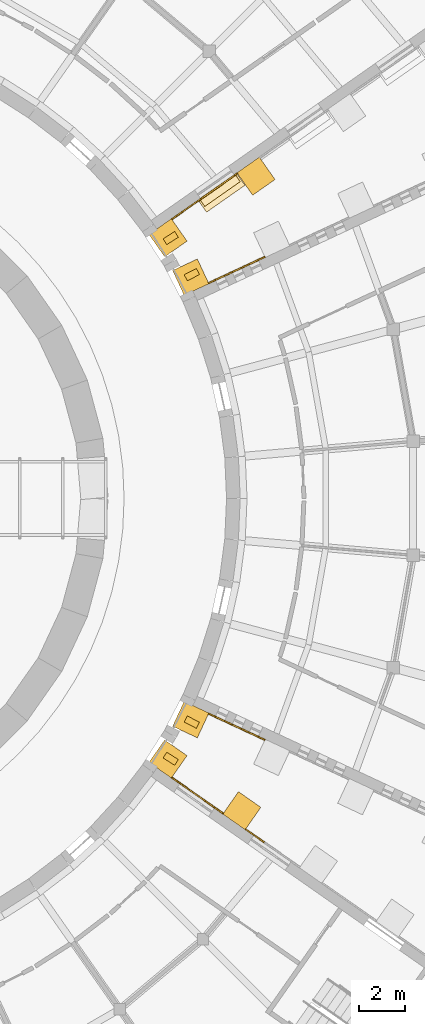
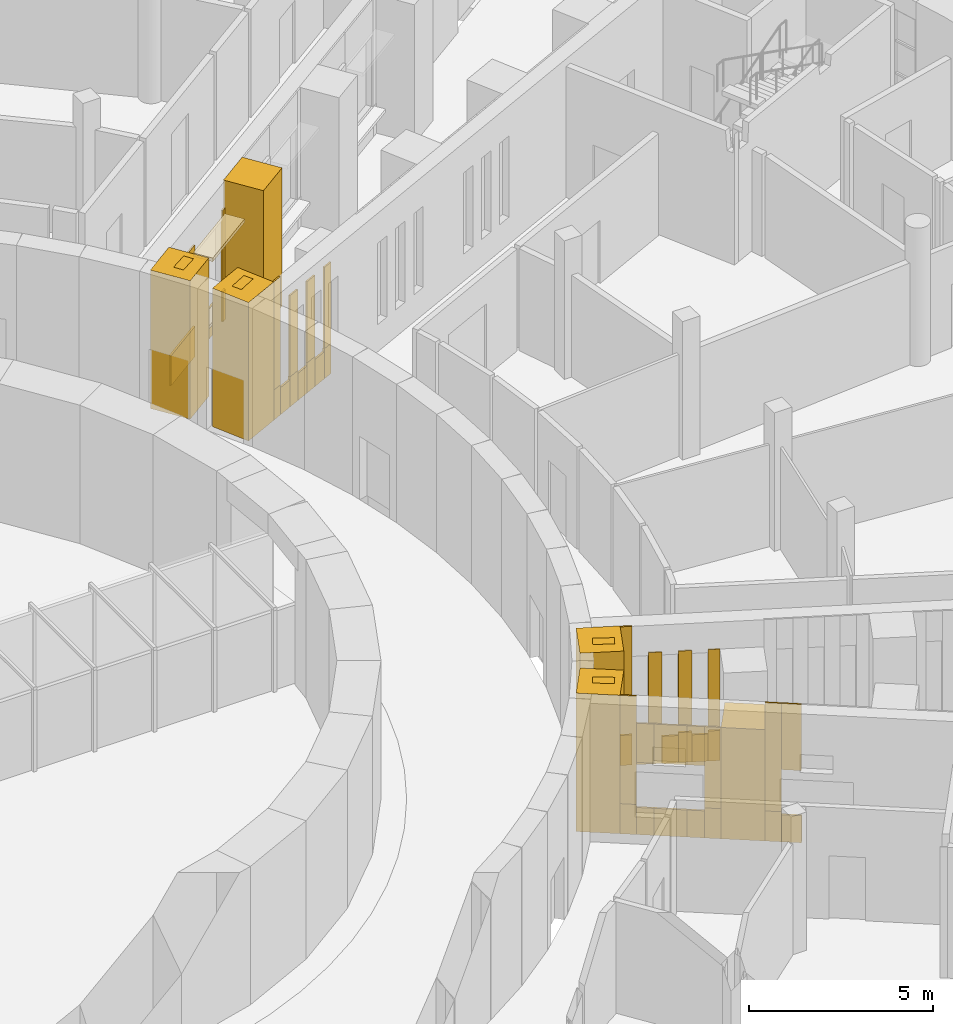
# One storey, part 70 of 85: 53 coverings.
"""IFC4 building model written with IfcOpenShell, lengths in metres."""

from ifc_helpers import new_model, si_unit, direction, frame, origin, origin_2d, place, context, subcontext, project, spatial, polyline, rectangle, outline, extrude, material, layer, layer_set, type_object, element, save


model = new_model("IFC4")

# Units and contexts
model_context = context("Model", 3, precision=1e-05, world=origin(), true_north=direction((0.0, 1.0)))
body_context = subcontext(model_context, "Body", "Model", "MODEL_VIEW")
ifc_project = project(units=[si_unit("LENGTHUNIT", "METRE"), si_unit("AREAUNIT", "SQUARE_METRE"), si_unit("VOLUMEUNIT", "CUBIC_METRE"), si_unit("PLANEANGLEUNIT", "RADIAN"), si_unit("MASSUNIT", "GRAM", prefix="KILO")], contexts=[model_context])

# Site, building, storey
site_placement = place(None, origin())
site = spatial("IfcSite", under=ifc_project, at=site_placement, CompositionType="ELEMENT")
building_placement = place(site_placement, origin())
building = spatial("IfcBuilding", under=site, at=building_placement, Name="Volute Hill Aquarium", CompositionType="ELEMENT")
storey_placement = place(building_placement, origin())
storey = spatial("IfcBuildingStorey", under=building, at=storey_placement, Name="L01", CompositionType="ELEMENT", Elevation=0.0)

# Coverings
ifc_material_1 = material(Name="Precast pale concrete C40/50", Category="concrete")
covering_type_1 = type_object("IfcCoveringType", Name="Drum pier fin 300x600", PredefinedType="CLADDING", material=ifc_material_1)
for number, where, z_axis, x_axis, name in (
    (1, (18.8759765625, 9.826171875, 0.0), (0.0, 0.0, 1.0), (-0.461748613235, 0.887010833178, 0.0), "Drum pier fin DF 6 L01"),
    (2, (17.947509765625, 11.433837890625, 0.0), (0.0, 0.0, 1.0), (-0.537299608347, 0.843391445813, 0.0), "Drum pier fin DF 7 L01"),
    (3, (17.947509765625, -11.433837890625, 0.0), (0.0, 0.0, 1.0), (0.537299608347, 0.843391445813, 0.0), "Drum pier fin DF 66 L01"),
    (4, (18.8759765625, -9.826171875, 0.0), (0.0, 0.0, 1.0), (0.461748613235, 0.887010833178, 0.0), "Drum pier fin DF 67 L01"),
):
    element("IfcCovering", number, at=place(storey_placement, frame(where, z_axis=z_axis, x_axis=x_axis)), inside=storey, type_object=covering_type_1, Name=name, PredefinedType="CLADDING", context=body_context, shape_type="SweptSolid", body=[
        extrude(rectangle(XDim=0.300048828125, YDim=0.60009765625, at=origin_2d()), origin(), (0.0, 0.0, 1.0), 4.60009765625),
    ])
ifc_material_2 = material(Name="Blue limestone", Category="masonry")
ifc_layer_1 = layer(ifc_material_2, 0.06005859375)
ifc_layer_set_1 = layer_set([ifc_layer_1], Name="End wall plinth blue limestone 60")
covering_type_2 = type_object("IfcCoveringType", Name="End wall plinth blue limestone 60", PredefinedType="CLADDING", material=ifc_layer_set_1)
covering_1_placement = place(storey_placement, frame((17.976318359375, -12.281982421875, 0.0), z_axis=(-0.573462344363, -0.819231920519, 0.0), x_axis=(0.819231920519, -0.573462344363, 0.0)))
element("IfcCovering", 5, at=covering_1_placement, inside=storey, type_object=covering_type_2, Name="End wall plinth EWL S3B L01 1", PredefinedType="CLADDING", context=body_context, shape_type="SweptSolid", body=[
    extrude(outline(polyline([(0.0, 0.0), (0.4499975336854954, 0.0), (0.4499975336854954, 1.0), (0.0, 1.0), (0.0, 0.0)])), origin(), (0.0, 0.0, -1.0), 0.06005859375),
])
covering_2_placement = place(storey_placement, frame((18.344970703125, -12.5400390625, 0.0), z_axis=(-0.573496556932, -0.819207970657, 0.0), x_axis=(0.819207970657, -0.573496556932, 0.0)))
element("IfcCovering", 6, at=covering_2_placement, inside=storey, type_object=covering_type_2, Name="End wall plinth EWL S3B L01 1", PredefinedType="CLADDING", context=body_context, shape_type="SweptSolid", body=[
    extrude(outline(polyline([(0.0, 0.0), (0.4789186609847402, 0.0), (0.4789186609847402, 0.89990234375), (0.0, 0.89990234375), (0.0, 0.0)])), origin(), (0.0, 0.0, -1.0), 0.06005859375),
])
covering_3_placement = place(storey_placement, frame((18.737060546875, -12.814697265625, 0.0), z_axis=(-0.573771825417, -0.819015196659, 0.0), x_axis=(0.819015196659, -0.573771825417, 0.0)))
element("IfcCovering", 7, at=covering_3_placement, inside=storey, type_object=covering_type_2, Name="End wall plinth EWL S3B L01 1", PredefinedType="CLADDING", context=body_context, shape_type="SweptSolid", body=[
    extrude(outline(polyline([(0.0, 0.0), (0.8999351292649214, 0.0), (0.8999351292649214, 0.89990234375), (0.0, 0.89990234375), (0.0, 0.0)])), origin(), (0.0, 0.0, -1.0), 0.06005859375),
])
covering_4_placement = place(storey_placement, frame((19.474365234375, -13.3310546875, 0.0), z_axis=(-0.573154296198, -0.819447467962, 0.0), x_axis=(0.819447467962, -0.573154296198, 0.0)))
element("IfcCovering", 8, at=covering_4_placement, inside=storey, type_object=covering_type_2, Name="End wall plinth EWL S3B L01 1", PredefinedType="CLADDING", context=body_context, shape_type="SweptSolid", body=[
    extrude(outline(polyline([(0.0, 0.0), (0.478778688950664, 0.0), (0.478778688950664, 0.89990234375), (0.0, 0.89990234375), (0.0, 0.0)])), origin(), (0.0, 0.0, -1.0), 0.06005859375),
])
covering_5_placement = place(storey_placement, frame((19.866455078125, -13.60546875, 0.0), z_axis=(-0.574081265732, -0.818798327023, 0.0), x_axis=(0.818798327023, -0.574081265732, 0.0)))
element("IfcCovering", 9, at=covering_5_placement, inside=storey, type_object=covering_type_2, Name="End wall plinth EWL S3B L01 1", PredefinedType="CLADDING", context=body_context, shape_type="SweptSolid", body=[
    extrude(outline(polyline([(0.0, 0.0), (0.44993765981983724, 0.0), (0.44993765981983724, 1.0), (0.0, 1.0), (0.0, 0.0)])), origin(), (0.0, 0.0, -1.0), 0.06005859375),
])
covering_6_placement = place(storey_placement, frame((21.21826171875, -14.552001953125, 0.0), z_axis=(-0.573462344363, -0.819231920519, 0.0), x_axis=(0.819231920519, -0.573462344363, 0.0)))
element("IfcCovering", 10, at=covering_6_placement, inside=storey, type_object=covering_type_2, Name="End wall plinth EWL S3B L01 2", PredefinedType="CLADDING", context=body_context, shape_type="SweptSolid", body=[
    extrude(outline(polyline([(0.0, 0.0), (0.4499975336854954, 0.0), (0.4499975336854954, 1.0), (0.0, 1.0), (0.0, 0.0)])), origin(), (0.0, 0.0, -1.0), 0.06005859375),
])
covering_7_placement = place(storey_placement, frame((21.5869140625, -14.81005859375, 0.0), z_axis=(-0.573580694562, -0.819149062641, 0.0), x_axis=(0.819149062641, -0.573580694562, 0.0)))
element("IfcCovering", 11, at=covering_7_placement, inside=storey, type_object=covering_type_2, Name="End wall plinth EWL S3B L01 2", PredefinedType="CLADDING", context=body_context, shape_type="SweptSolid", body=[
    extrude(outline(polyline([(0.0, 0.0), (0.5537615825225353, 0.0), (0.5537615825225353, 0.89990234375), (0.0, 0.89990234375), (0.0, 0.0)])), origin(), (0.0, 0.0, -1.0), 0.06005859375),
])
covering_8_placement = place(storey_placement, frame((19.599365234375, -9.481201171875, 0.0), z_axis=(-0.422634868528, -0.90630004298, 0.0), x_axis=(0.90630004298, -0.422634868528, 0.0)))
element("IfcCovering", 12, at=covering_8_placement, inside=storey, type_object=covering_type_2, Name="End wall plinth EWL S4A L01 1", PredefinedType="CLADDING", context=body_context, shape_type="SweptSolid", body=[
    extrude(outline(polyline([(0.0, 0.0), (0.32002543169529934, 0.0), (0.32002543169529934, 0.9999999999999999), (0.0, 0.9999999999999999), (0.0, 0.0)])), origin(), (0.0, 0.0, -1.0), 0.06005859375),
])
covering_9_placement = place(storey_placement, frame((19.889404296875, -9.616455078125, 0.0), z_axis=(-0.422529111883, -0.90634935296, 0.0), x_axis=(0.90634935296, -0.422529111883, 0.0)))
element("IfcCovering", 13, at=covering_9_placement, inside=storey, type_object=covering_type_2, Name="End wall plinth EWL S4A L01 1", PredefinedType="CLADDING", context=body_context, shape_type="SweptSolid", body=[
    extrude(outline(polyline([(0.0, 0.0), (0.4501122917366558, 0.0), (0.4501122917366558, 0.89990234375), (0.0, 0.89990234375), (0.0, 0.0)])), origin(), (0.0, 0.0, -1.0), 0.06005859375),
])
covering_10_placement = place(storey_placement, frame((20.29736328125, -9.806640625, 0.0), z_axis=(-0.422885465331, -0.906183139995, 0.0), x_axis=(0.906183139995, -0.422885465331, 0.0)))
element("IfcCovering", 14, at=covering_10_placement, inside=storey, type_object=covering_type_2, Name="End wall plinth EWL S4A L01 1", PredefinedType="CLADDING", context=body_context, shape_type="SweptSolid", body=[
    extrude(outline(polyline([(0.0, 0.0), (0.36775342468492755, 0.0), (0.36775342468492755, 1.0), (0.0, 1.0), (0.0, 0.0)])), origin(), (0.0, 0.0, -1.0), 0.06005859375),
])
covering_11_placement = place(storey_placement, frame((20.630615234375, -9.962158203125, 0.0), z_axis=(-0.422529111883, -0.90634935296, 0.0), x_axis=(0.90634935296, -0.422529111883, 0.0)))
element("IfcCovering", 15, at=covering_11_placement, inside=storey, type_object=covering_type_2, Name="End wall plinth EWL S4A L01 1", PredefinedType="CLADDING", context=body_context, shape_type="SweptSolid", body=[
    extrude(outline(polyline([(0.0, 0.0), (0.4501122917366558, 0.0), (0.4501122917366558, 0.89990234375), (0.0, 0.89990234375), (0.0, 0.0)])), origin(), (0.0, 0.0, -1.0), 0.06005859375),
])
covering_12_placement = place(storey_placement, frame((21.03857421875, -10.15234375, 0.0), z_axis=(-0.422885465331, -0.906183139995, 0.0), x_axis=(0.906183139995, -0.422885465331, 0.0)))
element("IfcCovering", 16, at=covering_12_placement, inside=storey, type_object=covering_type_2, Name="End wall plinth EWL S4A L01 1", PredefinedType="CLADDING", context=body_context, shape_type="SweptSolid", body=[
    extrude(outline(polyline([(0.0, 0.0), (0.36775342468492755, 0.0), (0.36775342468492755, 1.0), (0.0, 1.0), (0.0, 0.0)])), origin(), (0.0, 0.0, -1.0), 0.06005859375),
])
covering_13_placement = place(storey_placement, frame((21.371826171875, -10.307861328125, 0.0), z_axis=(-0.422736919649, -0.906252446488, 0.0), x_axis=(0.906252446488, -0.422736919649, 0.0)))
element("IfcCovering", 17, at=covering_13_placement, inside=storey, type_object=covering_type_2, Name="End wall plinth EWL S4A L01 1", PredefinedType="CLADDING", context=body_context, shape_type="SweptSolid", body=[
    extrude(outline(polyline([(0.0, 0.0), (0.4498910268656508, 0.0), (0.4498910268656508, 0.89990234375), (0.0, 0.89990234375), (0.0, 0.0)])), origin(), (0.0, 0.0, -1.0), 0.06005859375),
])
covering_14_placement = place(storey_placement, frame((21.779541015625, -10.498046875, 0.0), z_axis=(-0.422342839971, -0.906436167375, 0.0), x_axis=(0.906436167375, -0.422342839971, 0.0)))
element("IfcCovering", 18, at=covering_14_placement, inside=storey, type_object=covering_type_2, Name="End wall plinth EWL S4A L01 1", PredefinedType="CLADDING", context=body_context, shape_type="SweptSolid", body=[
    extrude(outline(polyline([(0.0, 0.0), (0.3202467129767202, 0.0), (0.3202467129767202, 1.0), (0.0, 1.0), (0.0, 0.0)])), origin(), (0.0, 0.0, -1.0), 0.06005859375),
])
covering_15_placement = place(storey_placement, frame((19.624755859375, 9.427001953125, 0.0), z_axis=(0.422634868528, -0.90630004298, 0.0), x_axis=(0.90630004298, 0.422634868528, 0.0)))
element("IfcCovering", 19, at=covering_15_placement, inside=storey, type_object=covering_type_2, Name="End wall plinth EWL S4B L01 1", PredefinedType="CLADDING", context=body_context, shape_type="SweptSolid", body=[
    extrude(outline(polyline([(0.0, 0.0), (0.32002543169529934, 0.0), (0.32002543169529934, 0.9999999999999999), (0.0, 0.9999999999999999), (0.0, 0.0)])), origin(), (0.0, 0.0, -1.0), 0.06005859375),
])
covering_16_placement = place(storey_placement, frame((19.914794921875, 9.562255859375, 0.0), z_axis=(0.422529111883, -0.90634935296, 0.0), x_axis=(0.90634935296, 0.422529111883, 0.0)))
element("IfcCovering", 20, at=covering_16_placement, inside=storey, type_object=covering_type_2, Name="End wall plinth EWL S4B L01 1", PredefinedType="CLADDING", context=body_context, shape_type="SweptSolid", body=[
    extrude(outline(polyline([(0.0, 0.0), (0.4501122917366558, 0.0), (0.4501122917366558, 0.89990234375), (0.0, 0.89990234375), (0.0, 0.0)])), origin(), (0.0, 0.0, -1.0), 0.06005859375),
])
covering_17_placement = place(storey_placement, frame((20.32275390625, 9.75244140625, 0.0), z_axis=(0.422885465331, -0.906183139995, 0.0), x_axis=(0.906183139995, 0.422885465331, 0.0)))
element("IfcCovering", 21, at=covering_17_placement, inside=storey, type_object=covering_type_2, Name="End wall plinth EWL S4B L01 1", PredefinedType="CLADDING", context=body_context, shape_type="SweptSolid", body=[
    extrude(outline(polyline([(0.0, 0.0), (0.36775342468492755, 0.0), (0.36775342468492755, 1.0), (0.0, 1.0), (0.0, 0.0)])), origin(), (0.0, 0.0, -1.0), 0.06005859375),
])
covering_18_placement = place(storey_placement, frame((20.656005859375, 9.907958984375, 0.0), z_axis=(0.422529111883, -0.90634935296, 0.0), x_axis=(0.90634935296, 0.422529111883, 0.0)))
element("IfcCovering", 22, at=covering_18_placement, inside=storey, type_object=covering_type_2, Name="End wall plinth EWL S4B L01 1", PredefinedType="CLADDING", context=body_context, shape_type="SweptSolid", body=[
    extrude(outline(polyline([(0.0, 0.0), (0.4501122917366558, 0.0), (0.4501122917366558, 0.89990234375), (0.0, 0.89990234375), (0.0, 0.0)])), origin(), (0.0, 0.0, -1.0), 0.06005859375),
])
covering_19_placement = place(storey_placement, frame((21.06396484375, 10.09814453125, 0.0), z_axis=(0.422885465331, -0.906183139995, 0.0), x_axis=(0.906183139995, 0.422885465331, 0.0)))
element("IfcCovering", 23, at=covering_19_placement, inside=storey, type_object=covering_type_2, Name="End wall plinth EWL S4B L01 1", PredefinedType="CLADDING", context=body_context, shape_type="SweptSolid", body=[
    extrude(outline(polyline([(0.0, 0.0), (0.36775342468492755, 0.0), (0.36775342468492755, 1.0), (0.0, 1.0), (0.0, 0.0)])), origin(), (0.0, 0.0, -1.0), 0.06005859375),
])
covering_20_placement = place(storey_placement, frame((21.397216796875, 10.253662109375, 0.0), z_axis=(0.422736919649, -0.906252446488, 0.0), x_axis=(0.906252446488, 0.422736919649, 0.0)))
element("IfcCovering", 24, at=covering_20_placement, inside=storey, type_object=covering_type_2, Name="End wall plinth EWL S4B L01 1", PredefinedType="CLADDING", context=body_context, shape_type="SweptSolid", body=[
    extrude(outline(polyline([(0.0, 0.0), (0.4498910268656508, 0.0), (0.4498910268656508, 0.89990234375), (0.0, 0.89990234375), (0.0, 0.0)])), origin(), (0.0, 0.0, -1.0), 0.06005859375),
])
covering_21_placement = place(storey_placement, frame((21.804931640625, 10.44384765625, 0.0), z_axis=(0.422342839971, -0.906436167375, 0.0), x_axis=(0.906436167375, 0.422342839971, 0.0)))
element("IfcCovering", 25, at=covering_21_placement, inside=storey, type_object=covering_type_2, Name="End wall plinth EWL S4B L01 1", PredefinedType="CLADDING", context=body_context, shape_type="SweptSolid", body=[
    extrude(outline(polyline([(0.0, 0.0), (0.3202467129767202, 0.0), (0.3202467129767202, 1.0), (0.0, 1.0), (0.0, 0.0)])), origin(), (0.0, 0.0, -1.0), 0.06005859375),
])
covering_22_placement = place(storey_placement, frame((18.010498046875, 12.232666015625, 0.0), z_axis=(0.573535800714, -0.819180496167, 0.0), x_axis=(0.819180496167, 0.573535800714, 0.0)))
element("IfcCovering", 26, at=covering_22_placement, inside=storey, type_object=covering_type_2, Name="End wall plinth EWL S5A L01 1", PredefinedType="CLADDING", context=body_context, shape_type="SweptSolid", body=[
    extrude(outline(polyline([(0.0, 0.0), (1.5613808438560721, 0.0), (1.5613808438560721, 1.0000000000000002), (0.0, 1.0000000000000002), (0.0, 0.0)])), origin(), (0.0, 0.0, -1.0), 0.06005859375),
])
covering_23_placement = place(storey_placement, frame((19.28955078125, 13.128173828125, 0.0), z_axis=(0.573617089972, -0.819123576813, 0.0), x_axis=(0.819123576813, 0.573617089972, 0.0)))
element("IfcCovering", 27, at=covering_23_placement, inside=storey, type_object=covering_type_2, Name="End wall plinth EWL S5A L01 1", PredefinedType="CLADDING", context=body_context, shape_type="SweptSolid", body=[
    extrude(outline(polyline([(0.0, 0.0), (1.799930164518913, 0.0), (1.799930164518913, 1.0), (0.0, 1.0), (0.0, 0.0)])), origin(), (0.0, 0.0, -1.0), 0.06005859375),
])
covering_24_placement = place(storey_placement, frame((20.763916015625, 14.16064453125, 0.0), z_axis=(0.573144399806, -0.819454389805, 0.0), x_axis=(0.819454389805, 0.573144399806, 0.0)))
element("IfcCovering", 28, at=covering_24_placement, inside=storey, type_object=covering_type_2, Name="End wall plinth EWL S5A L01 1", PredefinedType="CLADDING", context=body_context, shape_type="SweptSolid", body=[
    extrude(outline(polyline([(0.0, 0.0), (0.1546260364840037, 0.0), (0.1546260364840037, 1.0), (0.0, 1.0), (0.0, 0.0)])), origin(), (0.0, 0.0, -1.0), 0.06005859375),
])
ifc_material_3 = material(Name="Precast concrete C40/50", Category="concrete")
covering_type_3 = type_object("IfcCoveringType", Name="End wall precast fin C40/50 1200x1200", PredefinedType="CLADDING", material=ifc_material_3)
covering_25_placement = place(storey_placement, frame((17.828857421875, -11.4462890625, 0.0), z_axis=(0.0, 0.0, 1.0), x_axis=(0.81915068408, -0.573578378926, 0.0)))
element("IfcCovering", 29, at=covering_25_placement, inside=storey, type_object=covering_type_3, Name="End wall fin EWF S3B L01 1", PredefinedType="CLADDING", context=body_context, shape_type="SweptSolid", body=[
    extrude(rectangle(XDim=1.199951171875, YDim=1.199951171875, at=origin_2d()), origin(), (0.0, 0.0, 1.0), 4.60009765625),
])
covering_26_placement = place(storey_placement, frame((21.07080078125, -13.71630859375, 0.0), z_axis=(0.0, 0.0, 1.0), x_axis=(0.81915068408, -0.573578378926, 0.0)))
element("IfcCovering", 30, at=covering_26_placement, inside=storey, type_object=covering_type_3, Name="End wall fin EWF S3B L01 2", PredefinedType="CLADDING", context=body_context, shape_type="SweptSolid", body=[
    extrude(rectangle(XDim=1.199951171875, YDim=1.199951171875, at=origin_2d()), origin(), (0.0, 0.0, 1.0), 3.699951171875),
])
for number, where, z_axis, x_axis, name in (
    (31, (18.8271484375, -9.717041015625, 0.0), (0.0, 0.0, 1.0), (0.906306960471, -0.422620034311, 0.0), "End wall fin EWF S4A L01 1"),
    (32, (18.8271484375, 9.717041015625, 0.0), (0.0, 0.0, 1.0), (0.906306960471, 0.422620034311, 0.0), "End wall fin EWF S4B L01 1"),
    (33, (17.828857421875, 11.4462890625, 0.0), (0.0, 0.0, 1.0), (0.819152037682, 0.573576445787, 0.0), "End wall fin EWF S5A L01 1"),
    (34, (21.692138671875, 14.1513671875, 0.0), (0.0, 0.0, 1.0), (0.819152037682, 0.573576445787, 0.0), "End wall fin EWF S5A L01 2"),
):
    element("IfcCovering", number, at=place(storey_placement, frame(where, z_axis=z_axis, x_axis=x_axis)), inside=storey, type_object=covering_type_3, Name=name, PredefinedType="CLADDING", context=body_context, shape_type="SweptSolid", body=[
        extrude(rectangle(XDim=1.199951171875, YDim=1.199951171875, at=origin_2d()), origin(), (0.0, 0.0, 1.0), 4.60009765625),
    ])
ifc_material_4 = material(Name="Precast concrete C40/50", Category="concrete")
ifc_layer_2 = layer(ifc_material_4, 0.050048828125)
ifc_layer_set_2 = layer_set([ifc_layer_2], Name="End wall precast infill panel C40/50 50")
covering_type_4 = type_object("IfcCoveringType", Name="End wall precast infill panel C40/50 50", PredefinedType="CLADDING", material=ifc_layer_set_2)
covering_27_placement = place(storey_placement, frame((17.976318359375, -12.281982421875, 1.0), z_axis=(-0.573717313389, -0.819053383069, 0.0), x_axis=(0.819053383069, -0.573717313389, 0.0)))
element("IfcCovering", 35, at=covering_27_placement, inside=storey, type_object=covering_type_4, Name="End wall panel EWP S3B L01 1", PredefinedType="CLADDING", context=body_context, shape_type="SweptSolid", body=[
    extrude(outline(polyline([(0.0, 0.0), (0.44979754768167834, 0.0), (0.44979754768167834, 3.60009765625), (0.0, 3.60009765625), (0.0, 0.0)])), origin(), (0.0, 0.0, -1.0), 0.050048828125),
])
covering_28_placement = place(storey_placement, frame((18.3447265625, -12.5400390625, 2.39990234375), z_axis=(-0.573496556932, -0.819207970657, 0.0), x_axis=(0.819207970657, -0.573496556932, 0.0)))
element("IfcCovering", 36, at=covering_28_placement, inside=storey, type_object=covering_type_4, Name="End wall panel EWP S3B L01 1", PredefinedType="CLADDING", context=body_context, shape_type="SweptSolid", body=[
    extrude(outline(polyline([(0.0, 0.0), (0.4789186609847402, 0.0), (0.4789186609847402, 1.300048828125), (0.0, 1.300048828125), (0.0, 0.0)])), origin(), (0.0, 0.0, -1.0), 0.050048828125),
])
covering_29_placement = place(storey_placement, frame((18.737060546875, -12.814697265625, 2.39990234375), z_axis=(-0.573462344363, -0.819231920519, 0.0), x_axis=(0.819231920519, -0.573462344363, 0.0)))
element("IfcCovering", 37, at=covering_29_placement, inside=storey, type_object=covering_type_4, Name="End wall panel EWP S3B L01 1", PredefinedType="CLADDING", context=body_context, shape_type="SweptSolid", body=[
    extrude(outline(polyline([(0.0, 0.0), (0.8999950673709908, 0.0), (0.8999950673709908, 1.300048828125), (0.0, 1.300048828125), (0.0, 0.0)])), origin(), (0.0, 0.0, -1.0), 0.050048828125),
])
covering_30_placement = place(storey_placement, frame((19.474365234375, -13.330810546875, 2.39990234375), z_axis=(-0.573736131215, -0.81904020154, 0.0), x_axis=(0.81904020154, -0.573736131215, 0.0)))
element("IfcCovering", 38, at=covering_30_placement, inside=storey, type_object=covering_type_4, Name="End wall panel EWP S3B L01 1", PredefinedType="CLADDING", context=body_context, shape_type="SweptSolid", body=[
    extrude(outline(polyline([(0.0, 0.0), (0.47871867951413094, 0.0), (0.47871867951413094, 1.300048828125), (0.0, 1.300048828125), (0.0, 0.0)])), origin(), (0.0, 0.0, -1.0), 0.050048828125),
])
covering_31_placement = place(storey_placement, frame((19.866455078125, -13.60546875, 1.0), z_axis=(-0.573462344363, -0.819231920519, 0.0), x_axis=(0.819231920519, -0.573462344363, 0.0)))
element("IfcCovering", 39, at=covering_31_placement, inside=storey, type_object=covering_type_4, Name="End wall panel EWP S3B L01 1", PredefinedType="CLADDING", context=body_context, shape_type="SweptSolid", body=[
    extrude(outline(polyline([(0.0, 0.0), (0.4499975336854954, 0.0), (0.4499975336854954, 2.699951171875), (0.0, 2.699951171875), (0.0, 0.0)])), origin(), (0.0, 0.0, -1.0), 0.050048828125),
])
covering_32_placement = place(storey_placement, frame((21.218017578125, -14.552001953125, 1.0), z_axis=(-0.573462344363, -0.819231920519, 0.0), x_axis=(0.819231920519, -0.573462344363, 0.0)))
element("IfcCovering", 40, at=covering_32_placement, inside=storey, type_object=covering_type_4, Name="End wall panel EWP S3B L01 2", PredefinedType="CLADDING", context=body_context, shape_type="SweptSolid", body=[
    extrude(outline(polyline([(0.0, 0.0), (0.4499975336854954, 0.0), (0.4499975336854954, 3.60009765625), (0.0, 3.60009765625), (0.0, 0.0)])), origin(), (0.0, 0.0, -1.0), 0.050048828125),
])
covering_33_placement = place(storey_placement, frame((21.586669921875, -14.81005859375, 2.39990234375), z_axis=(-0.573580694562, -0.819149062641, 0.0), x_axis=(0.819149062641, -0.573580694562, 0.0)))
element("IfcCovering", 41, at=covering_33_placement, inside=storey, type_object=covering_type_4, Name="End wall panel EWP S3B L01 2", PredefinedType="CLADDING", context=body_context, shape_type="SweptSolid", body=[
    extrude(outline(polyline([(0.0, 0.0), (0.5537615825225353, 0.0), (0.5537615825225353, 2.2001953125), (0.0, 2.2001953125), (0.0, 0.0)])), origin(), (0.0, 0.0, -1.0), 0.050048828125),
])
covering_34_placement = place(storey_placement, frame((19.603515625, -9.47216796875, 1.0), z_axis=(-0.422968905816, -0.906144196424, 0.0), x_axis=(0.906144196424, -0.422968905816, 0.0)))
element("IfcCovering", 42, at=covering_34_placement, inside=storey, type_object=covering_type_4, Name="End wall panel EWP S4A L01 1", PredefinedType="CLADDING", context=body_context, shape_type="SweptSolid", body=[
    extrude(outline(polyline([(0.0, 0.0), (0.32034990045799877, 0.0), (0.32034990045799877, 3.60009765625), (0.0, 3.60009765625), (0.0, 0.0)])), origin(), (0.0, 0.0, -1.0), 0.050048828125),
])
covering_35_placement = place(storey_placement, frame((20.301513671875, -9.7978515625, 1.0), z_axis=(-0.42208600561, -0.906555791923, 0.0), x_axis=(0.906555791923, -0.42208600561, 0.0)))
element("IfcCovering", 43, at=covering_35_placement, inside=storey, type_object=covering_type_4, Name="End wall panel EWP S4A L01 1", PredefinedType="CLADDING", context=body_context, shape_type="SweptSolid", body=[
    extrude(outline(polyline([(0.0, 0.0), (0.36787156038429386, 0.0), (0.36787156038429386, 2.699951171875), (0.0, 2.699951171875), (0.0, 0.0)])), origin(), (0.0, 0.0, -1.0), 0.050048828125),
])
covering_36_placement = place(storey_placement, frame((21.042724609375, -10.143310546875, 1.0), z_axis=(-0.422631198747, -0.906301754299, 0.0), x_axis=(0.906301754299, -0.422631198747, 0.0)))
element("IfcCovering", 44, at=covering_36_placement, inside=storey, type_object=covering_type_4, Name="End wall panel EWP S4A L01 1", PredefinedType="CLADDING", context=body_context, shape_type="SweptSolid", body=[
    extrude(outline(polyline([(0.0, 0.0), (0.3679746752867299, 0.0), (0.3679746752867299, 2.6999511718750004), (0.0, 2.6999511718750004), (0.0, 0.0)])), origin(), (0.0, 0.0, -1.0), 0.050048828125),
])
covering_37_placement = place(storey_placement, frame((21.783935546875, -10.489013671875, 1.0), z_axis=(-0.422342839971, -0.906436167375, 0.0), x_axis=(0.906436167375, -0.422342839971, 0.0)))
element("IfcCovering", 45, at=covering_37_placement, inside=storey, type_object=covering_type_4, Name="End wall panel EWP S4A L01 1", PredefinedType="CLADDING", context=body_context, shape_type="SweptSolid", body=[
    extrude(outline(polyline([(0.0, 0.0), (0.3202467129767202, 0.0), (0.3202467129767202, 2.699951171875), (0.0, 2.699951171875), (0.0, 0.0)])), origin(), (0.0, 0.0, -1.0), 0.050048828125),
])
covering_38_placement = place(storey_placement, frame((19.62451171875, 9.4267578125, 1.0), z_axis=(0.422968905816, -0.906144196424, 0.0), x_axis=(0.906144196424, 0.422968905816, 0.0)))
element("IfcCovering", 46, at=covering_38_placement, inside=storey, type_object=covering_type_4, Name="End wall panel EWP S4B L01 1", PredefinedType="CLADDING", context=body_context, shape_type="SweptSolid", body=[
    extrude(outline(polyline([(0.0, 0.0), (0.32034990045799877, 0.0), (0.32034990045799877, 3.60009765625), (0.0, 3.60009765625), (0.0, 0.0)])), origin(), (0.0, 0.0, -1.0), 0.050048828125),
])
covering_39_placement = place(storey_placement, frame((20.322509765625, 9.75244140625, 1.0), z_axis=(0.42208600561, -0.906555791923, 0.0), x_axis=(0.906555791923, 0.42208600561, 0.0)))
element("IfcCovering", 47, at=covering_39_placement, inside=storey, type_object=covering_type_4, Name="End wall panel EWP S4B L01 1", PredefinedType="CLADDING", context=body_context, shape_type="SweptSolid", body=[
    extrude(outline(polyline([(0.0, 0.0), (0.36787156038429386, 0.0), (0.36787156038429386, 2.699951171875), (0.0, 2.699951171875), (0.0, 0.0)])), origin(), (0.0, 0.0, -1.0), 0.050048828125),
])
covering_40_placement = place(storey_placement, frame((21.063720703125, 10.097900390625, 1.0), z_axis=(0.422631198747, -0.906301754299, 0.0), x_axis=(0.906301754299, 0.422631198747, 0.0)))
element("IfcCovering", 48, at=covering_40_placement, inside=storey, type_object=covering_type_4, Name="End wall panel EWP S4B L01 1", PredefinedType="CLADDING", context=body_context, shape_type="SweptSolid", body=[
    extrude(outline(polyline([(0.0, 0.0), (0.3679746752867299, 0.0), (0.3679746752867299, 2.6999511718750004), (0.0, 2.6999511718750004), (0.0, 0.0)])), origin(), (0.0, 0.0, -1.0), 0.050048828125),
])
covering_41_placement = place(storey_placement, frame((21.804931640625, 10.443603515625, 1.0), z_axis=(0.422342839971, -0.906436167375, 0.0), x_axis=(0.906436167375, 0.422342839971, 0.0)))
element("IfcCovering", 49, at=covering_41_placement, inside=storey, type_object=covering_type_4, Name="End wall panel EWP S4B L01 1", PredefinedType="CLADDING", context=body_context, shape_type="SweptSolid", body=[
    extrude(outline(polyline([(0.0, 0.0), (0.3202467129767202, 0.0), (0.3202467129767202, 2.699951171875), (0.0, 2.699951171875), (0.0, 0.0)])), origin(), (0.0, 0.0, -1.0), 0.050048828125),
])
covering_42_placement = place(storey_placement, frame((18.005126953125, 12.240966796875, 1.0), z_axis=(0.573609271271, -0.81912905205, 0.0), x_axis=(0.81912905205, 0.573609271271, 0.0)))
element("IfcCovering", 50, at=covering_42_placement, inside=storey, type_object=covering_type_4, Name="End wall panel EWP S5A L01 1", PredefinedType="CLADDING", context=body_context, shape_type="SweptSolid", body=[
    extrude(outline(polyline([(0.0, 0.0), (1.5611808548971475, 0.0), (1.5611808548971475, 2.699951171875), (0.0, 2.699951171875), (0.0, 0.0)])), origin(), (0.0, 0.0, -1.0), 0.050048828125),
])
covering_43_placement = place(storey_placement, frame((20.75830078125, 14.1689453125, 1.0), z_axis=(0.572403564306, -0.819972048042, 0.0), x_axis=(0.819972048042, 0.572403564306, 0.0)))
element("IfcCovering", 51, at=covering_43_placement, inside=storey, type_object=covering_type_4, Name="End wall panel EWP S5A L01 1", PredefinedType="CLADDING", context=body_context, shape_type="SweptSolid", body=[
    extrude(outline(polyline([(0.0, 0.0), (0.1548261618224584, 0.0), (0.1548261618224584, 2.699951171875), (0.0, 2.699951171875), (0.0, 0.0)])), origin(), (0.0, 0.0, -1.0), 0.050048828125),
])
ifc_material_5 = material(Name="Precast concrete C40/50", Category="concrete")
ifc_layer_3 = layer(ifc_material_5, 0.1201171875)
ifc_layer_set_3 = layer_set([ifc_layer_3], Name="End wall window head blade precast C40/50 600x120")
covering_type_5 = type_object("IfcCoveringType", Name="End wall window head blade precast C40/50 600x120", PredefinedType="CLADDING", material=ifc_layer_set_3)
covering_44_placement = place(storey_placement, frame((20.193115234375, 13.406982421875, 3.39990234375), z_axis=(0.0, 0.0, 1.0), x_axis=(0.819152037682, 0.573576445787, 0.0)))
element("IfcCovering", 52, at=covering_44_placement, inside=storey, type_object=covering_type_5, Name="End wall window head blade EWB S5A L01 1.1", PredefinedType="CLADDING", context=body_context, shape_type="SweptSolid", body=[
    extrude(rectangle(XDim=2.06005859375, YDim=0.60009765625, at=origin_2d()), origin(), (0.0, 0.0, 1.0), 0.1201171875),
])
ifc_material_6 = material(Name="Precast concrete C40/50", Category="concrete")
ifc_layer_4 = layer(ifc_material_6, 0.10009765625)
ifc_layer_set_4 = layer_set([ifc_layer_4], Name="End wall window sill precast C40/50 350x100")
covering_type_6 = type_object("IfcCoveringType", Name="End wall window sill precast C40/50 350x100", PredefinedType="CLADDING", material=ifc_layer_set_4)
covering_45_placement = place(storey_placement, frame((20.121337890625, 13.50927734375, 0.89990234375), z_axis=(0.0, 0.0, 1.0), x_axis=(0.819152037682, 0.573576445787, 0.0)))
element("IfcCovering", 53, at=covering_45_placement, inside=storey, type_object=covering_type_6, Name="End wall window sill EWS S5A L01 1.1", PredefinedType="CLADDING", context=body_context, shape_type="SweptSolid", body=[
    extrude(rectangle(XDim=1.89990234375, YDim=0.35009765625, at=origin_2d()), origin(), (0.0, 0.0, 1.0), 0.10009765625),
])

save(model, "model.ifc")
